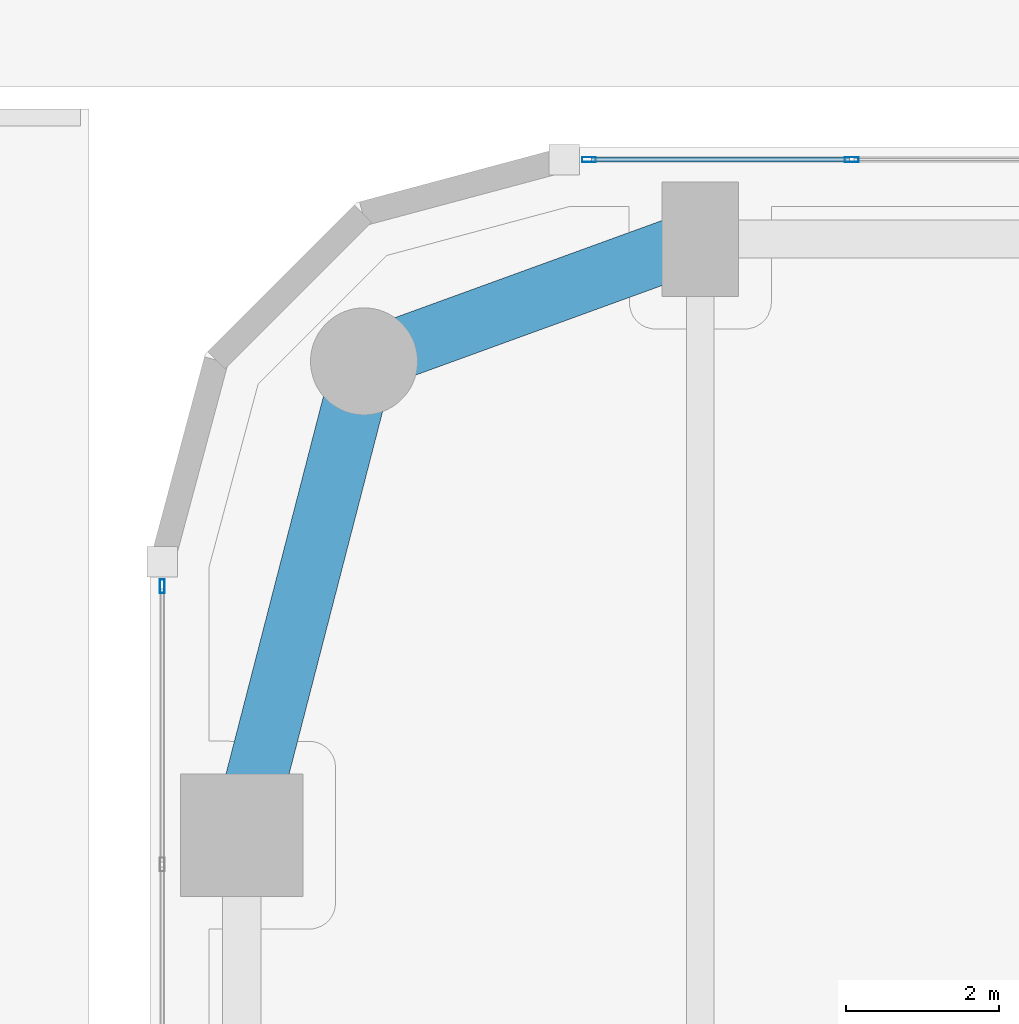
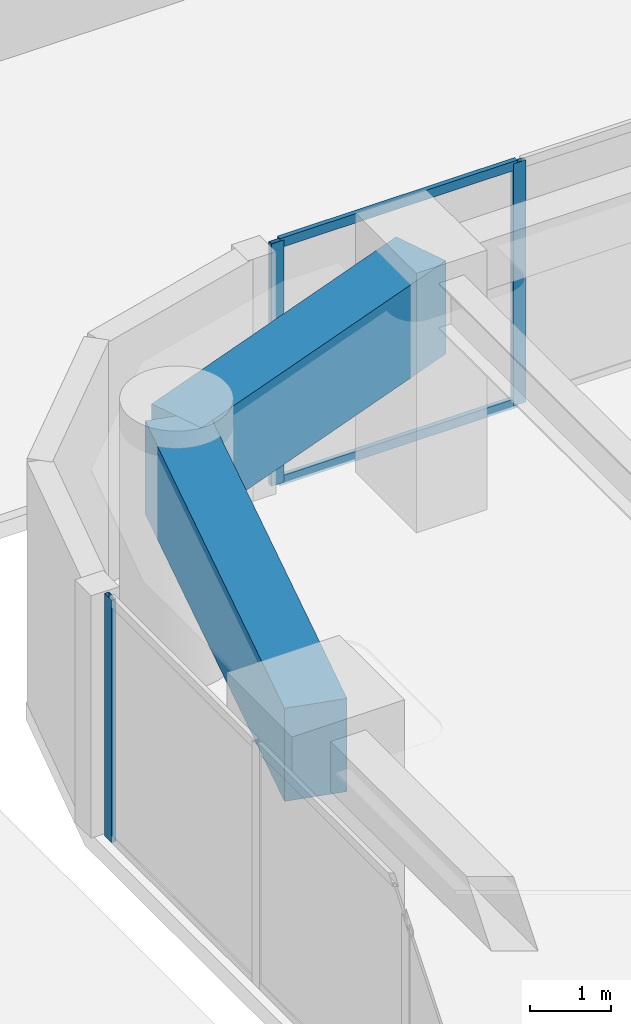
# One storey, part 8 of 38: 5 members, 2 beams, 2 elements without a shape of their own.
"""IFC4 building model written with IfcOpenShell, lengths in metres."""

from ifc_helpers import new_model, si_unit, direction, frame, origin, origin_2d, place, context, subcontext, project, spatial, rectangle, hollow_rectangle, extrude, material, layer, layer_set, material_profile, profile_set, type_object, element, aggregate, save


model = new_model("IFC4")

# Units and contexts
model_context = context("Model", 3, precision=1e-05, world=origin(), true_north=direction((0.0, 1.0)))
body_context = subcontext(model_context, "Body", "Model", "MODEL_VIEW")
ifc_project = project(units=[si_unit("LENGTHUNIT", "METRE"), si_unit("AREAUNIT", "SQUARE_METRE"), si_unit("VOLUMEUNIT", "CUBIC_METRE"), si_unit("PLANEANGLEUNIT", "RADIAN"), si_unit("MASSUNIT", "GRAM", prefix="KILO")], contexts=[model_context])

# Site, building, storey
site_placement = place(None, origin())
site = spatial("IfcSite", under=ifc_project, at=site_placement, CompositionType="ELEMENT")
building_placement = place(site_placement, origin())
building = spatial("IfcBuilding", under=site, at=building_placement, Name="Kiyonajd Concourse Tower", CompositionType="ELEMENT")
storey_placement = place(building_placement, frame((0.0, 0.0, 21.60009765625)))
storey = spatial("IfcBuildingStorey", under=building, at=storey_placement, Name="L06", CompositionType="ELEMENT", Elevation=21.60009765625)

# Beams
ifc_material_1 = material(Name="Concrete C60/75", Category="concrete")
ifc_material_profile_1 = material_profile(ifc_material_1, rectangle(XDim=0.800048828125, YDim=1.39990234375, at=origin_2d()), Name="RCBM-800x1400")
ifc_profile_set_1 = profile_set([ifc_material_profile_1], Name="Concrete C60/75")
beam_type = type_object("IfcBeamType", Name="BM-XFER-RC", PredefinedType="BEAM", material=ifc_profile_set_1)
beam_1_placement = place(storey_placement, frame((25.199951171875, 61.199951171875, 2.93994140625), z_axis=(-0.939801036019, -0.341722127901, 0.0), x_axis=(0.341722127901, -0.939801036019, 0.0)))
element("IfcBeam", 1, at=beam_1_placement, inside=storey, type_object=beam_type, Name="L06 Perimeter Bundled Tube Spandrel", PredefinedType="BEAM", context=body_context, shape_type="SweptSolid", body=[
    extrude(rectangle(XDim=0.800048828125, YDim=1.39990234375, at=origin_2d()), origin(), (0.0, 0.0, 1.0), 4.681640625),
])
beam_2_placement = place(storey_placement, frame((20.800048828125, 59.60009765625, 2.93994140625), z_axis=(-0.249884937687, -0.968275538221, 0.0), x_axis=(0.968275538221, -0.249884937687, 0.0)))
element("IfcBeam", 2, at=beam_2_placement, inside=storey, type_object=beam_type, Name="L06 Perimeter Bundled Tube Spandrel", PredefinedType="BEAM", context=body_context, shape_type="SweptSolid", body=[
    extrude(rectangle(XDim=0.800048828125, YDim=1.39990234375, at=origin_2d()), origin(), (0.0, 0.0, 1.0), 6.4033203125),
])

# Curtain wall, member
ifc_material_2 = material(Name="Thermally Broken Anodised Aluminium", Category="aluminium")
ifc_layer = layer(ifc_material_2, 0.179931640625)
ifc_layer_set = layer_set([ifc_layer], Name="Thermally Broken Anodised Aluminium")
curtain_wall_type = type_object("IfcCurtainWallType", Name="CW-SYS-02", PredefinedType="NOTDEFINED", material=ifc_layer_set)
curtain_wall_1_placement = place(storey_placement, origin())
curtain_wall_1 = element("IfcCurtainWall", 3, at=curtain_wall_1_placement, inside=storey, type_object=curtain_wall_type, Name="L06 Unitised Curtain Wall CW2", PredefinedType="NOTDEFINED")
ifc_material_profile_2 = material_profile(ifc_material_2, hollow_rectangle(XDim=0.06494140625, YDim=0.179931640625, WallThickness=0.00390625, at=origin_2d()), Name="MULL-65x180")
ifc_profile_set_2 = profile_set([ifc_material_profile_2], Name="Thermally Broken Anodised Aluminium")
member_type_1 = type_object("IfcMemberType", Name="MB-CW-MULL1", PredefinedType="MULLION", material=ifc_profile_set_2)
member_1_placement = place(storey_placement, frame((18.159912109375, 56.656494140625, 0.0), z_axis=(0.0, 0.0, 1.0), x_axis=(-1.0, 0.0, 0.0)))
member_1 = element("IfcMember", 4, at=member_1_placement, type_object=member_type_1, Name="CW2 mullion 7", PredefinedType="MULLION", context=body_context, shape_type="SweptSolid", body=[
    extrude(hollow_rectangle(XDim=0.06494140625, YDim=0.179931640625, WallThickness=0.00390625, at=origin_2d()), origin(), (0.0, 0.0, 1.0), 3.639892578125),
])
aggregate(curtain_wall_1, [member_1])

# Curtain wall, members
curtain_wall_2_placement = place(storey_placement, origin())
curtain_wall_2 = element("IfcCurtainWall", 5, at=curtain_wall_2_placement, inside=storey, type_object=curtain_wall_type, Name="L06 Unitised Curtain Wall CW2", PredefinedType="NOTDEFINED")
member_2_placement = place(storey_placement, frame((23.74365234375, 62.239990234375, 0.0), z_axis=(0.0, 0.0, 1.0), x_axis=(0.0, 1.0, 0.0)))
member_2 = element("IfcMember", 6, at=member_2_placement, type_object=member_type_1, Name="CW2 mullion 1", PredefinedType="MULLION", context=body_context, shape_type="SweptSolid", body=[
    extrude(hollow_rectangle(XDim=0.06494140625, YDim=0.179931640625, WallThickness=0.00390625, at=origin_2d()), origin(), (0.0, 0.0, 1.0), 3.639892578125),
])
member_3_placement = place(storey_placement, frame((27.181884765625, 62.239990234375, 0.0), z_axis=(0.0, 0.0, 1.0), x_axis=(0.0, 1.0, 0.0)))
member_3 = element("IfcMember", 7, at=member_3_placement, type_object=member_type_1, Name="CW2 mullion 2", PredefinedType="MULLION", context=body_context, shape_type="SweptSolid", body=[
    extrude(hollow_rectangle(XDim=0.06494140625, YDim=0.179931640625, WallThickness=0.00390625, at=origin_2d()), origin(), (0.0, 0.0, 1.0), 3.639892578125),
])
ifc_material_profile_3 = material_profile(ifc_material_2, hollow_rectangle(XDim=0.06494140625, YDim=0.139892578125, WallThickness=0.00390625, at=origin_2d()), Name="TRAN-65x140")
ifc_profile_set_3 = profile_set([ifc_material_profile_3], Name="Thermally Broken Anodised Aluminium")
member_type_2 = type_object("IfcMemberType", Name="MB-CW-TRAN1", PredefinedType="USERDEFINED", material=ifc_profile_set_3)
member_4_placement = place(storey_placement, frame((23.776123046875, 62.239990234375, 0.032470703125), z_axis=(1.0, 0.0, 0.0), x_axis=(0.0, 1.0, 0.0)))
member_4 = element("IfcMember", 8, at=member_4_placement, type_object=member_type_2, Name="CW2 transom 1.1", ObjectType="TRANSOM", PredefinedType="USERDEFINED", context=body_context, shape_type="SweptSolid", body=[
    extrude(hollow_rectangle(XDim=0.06494140625, YDim=0.139892578125, WallThickness=0.00390625, at=origin_2d()), origin(), (0.0, 0.0, 1.0), 3.373291015625),
])
member_5_placement = place(storey_placement, frame((23.776123046875, 62.239990234375, 3.607421875), z_axis=(1.0, 0.0, 0.0), x_axis=(0.0, 1.0, 0.0)))
member_5 = element("IfcMember", 9, at=member_5_placement, type_object=member_type_2, Name="CW2 transom 1.2", ObjectType="TRANSOM", PredefinedType="USERDEFINED", context=body_context, shape_type="SweptSolid", body=[
    extrude(hollow_rectangle(XDim=0.06494140625, YDim=0.139892578125, WallThickness=0.00390625, at=origin_2d()), origin(), (0.0, 0.0, 1.0), 3.373291015625),
])
aggregate(curtain_wall_2, [member_2, member_3, member_4, member_5])

save(model, "model.ifc")
